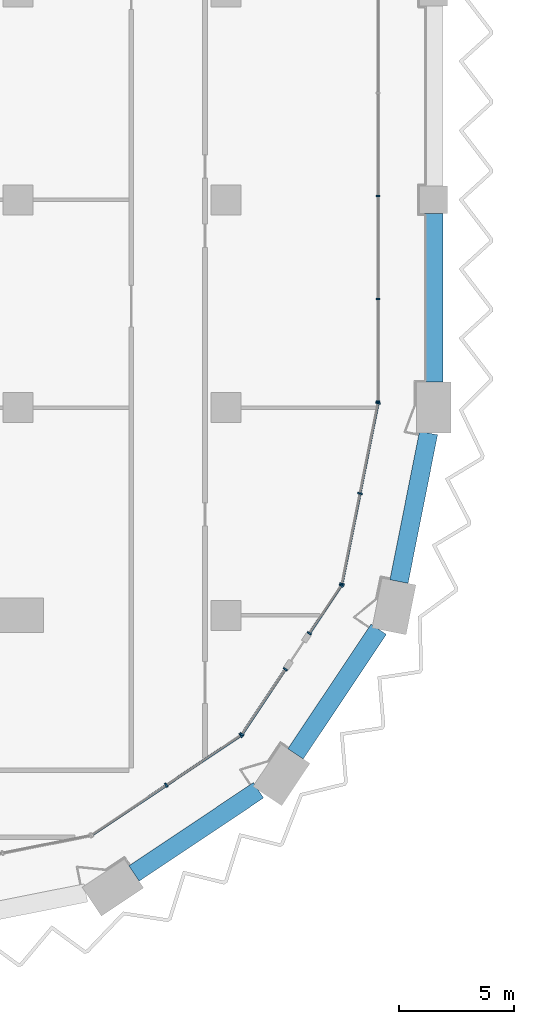
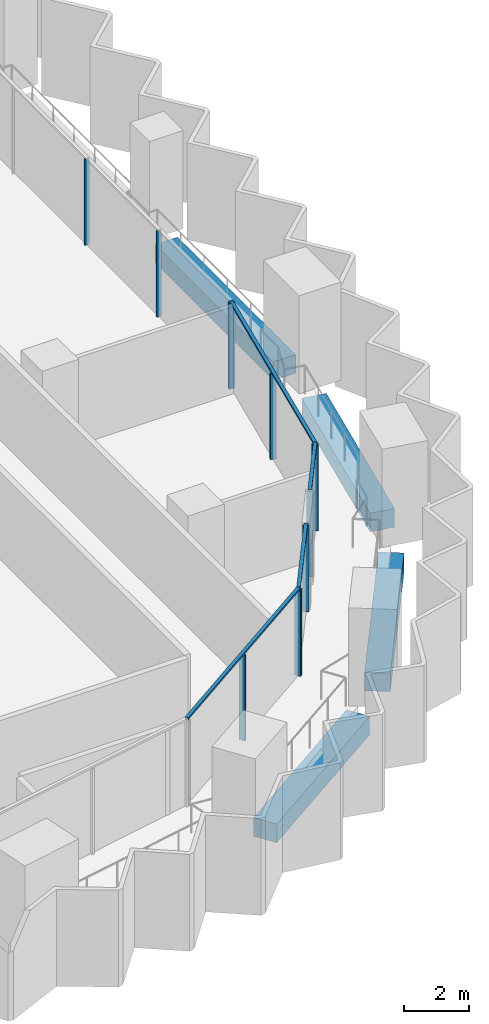
# One storey, part 3 of 23: 16 members, 4 beams, 5 elements without a shape of their own.
"""IFC4 building model written with IfcOpenShell, lengths in metres."""

from ifc_helpers import new_model, si_unit, direction, frame, origin, origin_2d, place, context, subcontext, project, spatial, rectangle, extrude, material, material_profile, profile_set, type_object, element, aggregate, save


model = new_model("IFC4")

# Units and contexts
model_context = context("Model", 3, precision=1e-05, world=origin(), true_north=direction((0.0, 1.0)))
body_context = subcontext(model_context, "Body", "Model", "MODEL_VIEW")
ifc_project = project(units=[si_unit("LENGTHUNIT", "METRE"), si_unit("AREAUNIT", "SQUARE_METRE"), si_unit("VOLUMEUNIT", "CUBIC_METRE"), si_unit("PLANEANGLEUNIT", "RADIAN"), si_unit("MASSUNIT", "GRAM", prefix="KILO")], contexts=[model_context])

# Site, building, storey
site_placement = place(None, origin())
site = spatial("IfcSite", under=ifc_project, at=site_placement, CompositionType="ELEMENT")
building_placement = place(site_placement, origin())
building = spatial("IfcBuilding", under=site, at=building_placement, Name="Hunhe Ridgeline Campus", CompositionType="ELEMENT")
storey_placement = place(building_placement, frame((0.0, 0.0, 95.89990234375)))
storey = spatial("IfcBuildingStorey", under=building, at=storey_placement, Name="L23", CompositionType="ELEMENT", Elevation=95.89990234375)

# Curtain wall, members
ifc_material_1 = material(Name="Aluminium 6063", Category="aluminium")
curtain_wall_type_1 = type_object("IfcCurtainWallType", Name="Curtain wall CW-1", PredefinedType="NOTDEFINED", material=ifc_material_1)
curtain_wall_1_placement = place(storey_placement, origin())
curtain_wall_1 = element("IfcCurtainWall", 1, at=curtain_wall_1_placement, inside=storey, type_object=curtain_wall_type_1, Name="Curtain wall 11", PredefinedType="NOTDEFINED")
ifc_material_profile_1 = material_profile(ifc_material_1, rectangle(XDim=0.159912109375, YDim=0.06005859375, at=origin_2d()))
ifc_profile_set_1 = profile_set([ifc_material_profile_1], Name="Aluminium 6063")
member_type_1 = type_object("IfcMemberType", Name="CW-1 aluminium mullion", PredefinedType="MULLION", material=ifc_profile_set_1)
member_1_placement = place(storey_placement, frame((42.59912109375, 27.266357421875, 0.0), z_axis=(0.0, 0.0, 1.0), x_axis=(-0.99999999994, 1.0947456e-05, 0.0)))
member_1 = element("IfcMember", 2, at=member_1_placement, type_object=member_type_1, Name="CW-1 mullion 1", PredefinedType="MULLION", context=body_context, shape_type="SweptSolid", body=[
    extrude(rectangle(XDim=0.159912109375, YDim=0.06005859375, at=origin_2d()), origin(), (0.0, 0.0, 1.0), 3.239990234375),
])
member_2_placement = place(storey_placement, frame((42.59912109375, 31.697265625, 0.0), z_axis=(0.0, 0.0, 1.0), x_axis=(-0.99999999994, 1.0947456e-05, 0.0)))
member_2 = element("IfcMember", 3, at=member_2_placement, type_object=member_type_1, Name="CW-1 mullion 2", PredefinedType="MULLION", context=body_context, shape_type="SweptSolid", body=[
    extrude(rectangle(XDim=0.159912109375, YDim=0.06005859375, at=origin_2d()), origin(), (0.0, 0.0, 1.0), 3.239990234375),
])
member_3_placement = place(storey_placement, frame((42.59912109375, 36.157958984375, 0.0), z_axis=(0.0, 0.0, 1.0), x_axis=(-0.99999999994, 1.0947456e-05, 0.0)))
member_3 = element("IfcMember", 4, at=member_3_placement, type_object=member_type_1, Name="CW-1 mullion 3", PredefinedType="MULLION", context=body_context, shape_type="SweptSolid", body=[
    extrude(rectangle(XDim=0.159912109375, YDim=0.06005859375, at=origin_2d()), origin(), (0.0, 0.0, 1.0), 3.239990234375),
])
aggregate(curtain_wall_1, [member_1, member_2, member_3])

curtain_wall_type_2 = type_object("IfcCurtainWallType", Name="Curtain wall CW-5", PredefinedType="NOTDEFINED", material=ifc_material_1)
curtain_wall_2_placement = place(storey_placement, origin())
curtain_wall_2 = element("IfcCurtainWall", 5, at=curtain_wall_2_placement, inside=storey, type_object=curtain_wall_type_2, Name="Curtain wall 07", PredefinedType="NOTDEFINED")
ifc_material_profile_2 = material_profile(ifc_material_1, rectangle(XDim=0.199951171875, YDim=0.070068359375, at=origin_2d()))
ifc_profile_set_2 = profile_set([ifc_material_profile_2], Name="Aluminium 6063")
member_type_2 = type_object("IfcMemberType", Name="CW-5 aluminium mullion", PredefinedType="MULLION", material=ifc_profile_set_2)
member_4_placement = place(storey_placement, frame((33.42626953125, 10.647705078125, 0.0), z_axis=(0.0, 0.0, 1.0), x_axis=(-0.555570274596, 0.831469584522, 0.0)))
member_4 = element("IfcMember", 6, at=member_4_placement, type_object=member_type_2, Name="CW-5 mullion 2", PredefinedType="MULLION", context=body_context, shape_type="SweptSolid", body=[
    extrude(rectangle(XDim=0.199951171875, YDim=0.070068359375, at=origin_2d()), origin(), (0.0, 0.0, 1.0), 3.22998046875),
])
member_5_placement = place(storey_placement, frame((36.649658203125, 12.8017578125, 0.0), z_axis=(0.0, 0.0, 1.0), x_axis=(-0.555570274596, 0.831469584522, 0.0)))
member_5 = element("IfcMember", 7, at=member_5_placement, type_object=member_type_2, Name="CW-5 mullion 3", PredefinedType="MULLION", context=body_context, shape_type="SweptSolid", body=[
    extrude(rectangle(XDim=0.199951171875, YDim=0.070068359375, at=origin_2d()), origin(), (0.0, 0.0, 1.0), 3.22998046875),
])

curtain_wall_3_placement = place(storey_placement, origin())
curtain_wall_3 = element("IfcCurtainWall", 8, at=curtain_wall_3_placement, inside=storey, type_object=curtain_wall_type_2, Name="Curtain wall 08", PredefinedType="NOTDEFINED")
member_6_placement = place(storey_placement, frame((36.6982421875, 12.850341796875, 0.0), z_axis=(0.0, 0.0, 1.0), x_axis=(-0.831469595944, 0.555570257501, 0.0)))
member_6 = element("IfcMember", 9, at=member_6_placement, type_object=member_type_2, Name="CW-5 mullion 1", PredefinedType="MULLION", context=body_context, shape_type="SweptSolid", body=[
    extrude(rectangle(XDim=0.199951171875, YDim=0.070068359375, at=origin_2d()), origin(), (0.0, 0.0, 1.0), 3.22998046875),
])
member_7_placement = place(storey_placement, frame((38.582763671875, 15.67041015625, 0.0), z_axis=(0.0, 0.0, 1.0), x_axis=(-0.831469595944, 0.555570257501, 0.0)))
member_7 = element("IfcMember", 10, at=member_7_placement, type_object=member_type_2, Name="CW-5 mullion 2", PredefinedType="MULLION", context=body_context, shape_type="SweptSolid", body=[
    extrude(rectangle(XDim=0.199951171875, YDim=0.070068359375, at=origin_2d()), origin(), (0.0, 0.0, 1.0), 3.22998046875),
])

curtain_wall_4_placement = place(storey_placement, origin())
curtain_wall_4 = element("IfcCurtainWall", 11, at=curtain_wall_4_placement, inside=storey, type_object=curtain_wall_type_2, Name="Curtain wall 09", PredefinedType="NOTDEFINED")
member_8_placement = place(storey_placement, frame((39.62158203125, 17.225341796875, 0.0), z_axis=(0.0, 0.0, 1.0), x_axis=(-0.831469510353, 0.555570385598, 0.0)))
member_8 = element("IfcMember", 12, at=member_8_placement, type_object=member_type_2, Name="CW-5 mullion 1", PredefinedType="MULLION", context=body_context, shape_type="SweptSolid", body=[
    extrude(rectangle(XDim=0.199951171875, YDim=0.070068359375, at=origin_2d()), origin(), (0.0, 0.0, 1.0), 3.22998046875),
])
member_9_placement = place(storey_placement, frame((41.006103515625, 19.29736328125, 0.0), z_axis=(0.0, 0.0, 1.0), x_axis=(-0.831469510353, 0.555570385598, 0.0)))
member_9 = element("IfcMember", 13, at=member_9_placement, type_object=member_type_2, Name="CW-5 mullion 2", PredefinedType="MULLION", context=body_context, shape_type="SweptSolid", body=[
    extrude(rectangle(XDim=0.199951171875, YDim=0.070068359375, at=origin_2d()), origin(), (0.0, 0.0, 1.0), 3.22998046875),
])

curtain_wall_5_placement = place(storey_placement, origin())
curtain_wall_5 = element("IfcCurtainWall", 14, at=curtain_wall_5_placement, inside=storey, type_object=curtain_wall_type_2, Name="Curtain wall 10", PredefinedType="NOTDEFINED")
member_10_placement = place(storey_placement, frame((41.032470703125, 19.36083984375, 0.0), z_axis=(0.0, 0.0, 1.0), x_axis=(-0.980785284939, 0.195090299215, 0.0)))
member_10 = element("IfcMember", 15, at=member_10_placement, type_object=member_type_2, Name="CW-5 mullion 1", PredefinedType="MULLION", context=body_context, shape_type="SweptSolid", body=[
    extrude(rectangle(XDim=0.199951171875, YDim=0.070068359375, at=origin_2d()), origin(), (0.0, 0.0, 1.0), 3.22998046875),
])
member_11_placement = place(storey_placement, frame((41.812255859375, 23.281494140625, 0.0), z_axis=(0.0, 0.0, 1.0), x_axis=(-0.980785284939, 0.195090299215, 0.0)))
member_11 = element("IfcMember", 16, at=member_11_placement, type_object=member_type_2, Name="CW-5 mullion 2", PredefinedType="MULLION", context=body_context, shape_type="SweptSolid", body=[
    extrude(rectangle(XDim=0.199951171875, YDim=0.070068359375, at=origin_2d()), origin(), (0.0, 0.0, 1.0), 3.22998046875),
])
member_12_placement = place(storey_placement, frame((42.59228515625, 27.2021484375, 0.0), z_axis=(0.0, 0.0, 1.0), x_axis=(-0.980785284939, 0.195090299215, 0.0)))
member_12 = element("IfcMember", 17, at=member_12_placement, type_object=member_type_2, Name="CW-5 mullion 3", PredefinedType="MULLION", context=body_context, shape_type="SweptSolid", body=[
    extrude(rectangle(XDim=0.199951171875, YDim=0.070068359375, at=origin_2d()), origin(), (0.0, 0.0, 1.0), 3.22998046875),
])

# Member
ifc_material_profile_3 = material_profile(ifc_material_1, rectangle(XDim=0.1201171875, YDim=0.070068359375, at=origin_2d()))
ifc_profile_set_3 = profile_set([ifc_material_profile_3], Name="Aluminium 6063")
member_type_3 = type_object("IfcMemberType", Name="CW-5 aluminium transom", PredefinedType="USERDEFINED", material=ifc_profile_set_3)
member_13_placement = place(storey_placement, frame((30.173583984375, 8.474365234375, 3.26513671875), z_axis=(0.831473763475, 0.5555640203, 0.0), x_axis=(-0.5555640203, 0.831473763475, 0.0)))
member_13 = element("IfcMember", 18, at=member_13_placement, type_object=member_type_3, Name="CW-5 transom 1", ObjectType="TRANSOM", PredefinedType="USERDEFINED", context=body_context, shape_type="SweptSolid", body=[
    extrude(rectangle(XDim=0.1201171875, YDim=0.070068359375, at=origin_2d()), origin(), (0.0, 0.0, 1.0), 7.823974609375),
])

aggregate(curtain_wall_2, [member_13, member_4, member_5])

member_14_placement = place(storey_placement, frame((36.678955078125, 12.821044921875, 3.26513671875), z_axis=(0.555546133463, 0.831485714606, 0.0), x_axis=(-0.831485714606, 0.555546133463, 0.0)))
member_14 = element("IfcMember", 19, at=member_14_placement, type_object=member_type_3, Name="CW-5 transom 1", ObjectType="TRANSOM", PredefinedType="USERDEFINED", context=body_context, shape_type="SweptSolid", body=[
    extrude(rectangle(XDim=0.1201171875, YDim=0.070068359375, at=origin_2d()), origin(), (0.0, 0.0, 1.0), 3.462158203125),
])

aggregate(curtain_wall_3, [member_14, member_6, member_7])

member_15_placement = place(storey_placement, frame((39.602294921875, 17.1962890625, 3.26513671875), z_axis=(0.555579547735, 0.831463388334, 0.0), x_axis=(-0.831463388334, 0.555579547735, 0.0)))
member_15 = element("IfcMember", 20, at=member_15_placement, type_object=member_type_3, Name="CW-5 transom 1", ObjectType="TRANSOM", PredefinedType="USERDEFINED", context=body_context, shape_type="SweptSolid", body=[
    extrude(rectangle(XDim=0.1201171875, YDim=0.070068359375, at=origin_2d()), origin(), (0.0, 0.0, 1.0), 2.56201171875),
])

aggregate(curtain_wall_4, [member_15, member_8, member_9])

member_16_placement = place(storey_placement, frame((41.025634765625, 19.326416015625, 3.26513671875), z_axis=(0.195097290093, 0.980783894341, 0.0), x_axis=(-0.980783894341, 0.195097290093, 0.0)))
member_16 = element("IfcMember", 21, at=member_16_placement, type_object=member_type_3, Name="CW-5 transom 1", ObjectType="TRANSOM", PredefinedType="USERDEFINED", context=body_context, shape_type="SweptSolid", body=[
    extrude(rectangle(XDim=0.1201171875, YDim=0.070068359375, at=origin_2d()), origin(), (0.0, 0.0, 1.0), 8.065185546875),
])

aggregate(curtain_wall_5, [member_16, member_10, member_11, member_12])

# Beams
ifc_material_2 = material(Name="Concrete C60", Category="concrete")
ifc_material_profile_4 = material_profile(ifc_material_2, rectangle(XDim=0.800048828125, YDim=0.699951171875, at=origin_2d()))
ifc_profile_set_4 = profile_set([ifc_material_profile_4], Name="Concrete C60")
beam_type = type_object("IfcBeamType", Name="RC spandrel beam 800x700 Concrete C60", PredefinedType="SPANDREL", material=ifc_profile_set_4)
for number, where, z_axis, x_axis, name in (
    (22, (32.02490234375, 6.82373046875, -0.599853515625), (0.831459384183, 0.555585540178, 0.0), (-0.555585540178, 0.831459384183, 0.0), "Spandrel beam B1-6 L23"),
    (23, (39.02099609375, 12.004638671875, -0.599853515625), (0.555559527577, 0.831476765351, 0.0), (-0.831476765351, 0.555559527577, 0.0), "Spandrel beam B1-7 L23"),
):
    element("IfcBeam", number, at=place(storey_placement, frame(where, z_axis=z_axis, x_axis=x_axis)), inside=storey, type_object=beam_type, Name=name, PredefinedType="SPANDREL", context=body_context, shape_type="SweptSolid", body=[
        extrude(rectangle(XDim=0.800048828125, YDim=0.699951171875, at=origin_2d()), origin(), (0.0, 0.0, 1.0), 6.488525390625),
    ])
beam_1_placement = place(storey_placement, frame((43.501953125, 19.468505859375, -0.599853515625), z_axis=(0.195092166671, 0.980784913477, 0.0), x_axis=(-0.980784913477, 0.195092166671, 0.0)))
element("IfcBeam", 24, at=beam_1_placement, inside=storey, type_object=beam_type, Name="Spandrel beam B1-8 L23", PredefinedType="SPANDREL", context=body_context, shape_type="SweptSolid", body=[
    extrude(rectangle(XDim=0.800048828125, YDim=0.699951171875, at=origin_2d()), origin(), (0.0, 0.0, 1.0), 6.557373046875),
])
beam_2_placement = place(storey_placement, frame((45.0, 28.10009765625, -0.599853515625), z_axis=(0.0, 1.0, 0.0), x_axis=(-1.0, 0.0, 0.0)))
element("IfcBeam", 25, at=beam_2_placement, inside=storey, type_object=beam_type, Name="Spandrel beam B1-9 L23", PredefinedType="SPANDREL", context=body_context, shape_type="SweptSolid", body=[
    extrude(rectangle(XDim=0.800048828125, YDim=0.699951171875, at=origin_2d()), origin(), (0.0, 0.0, 1.0), 7.2998046875),
])

save(model, "model.ifc")
